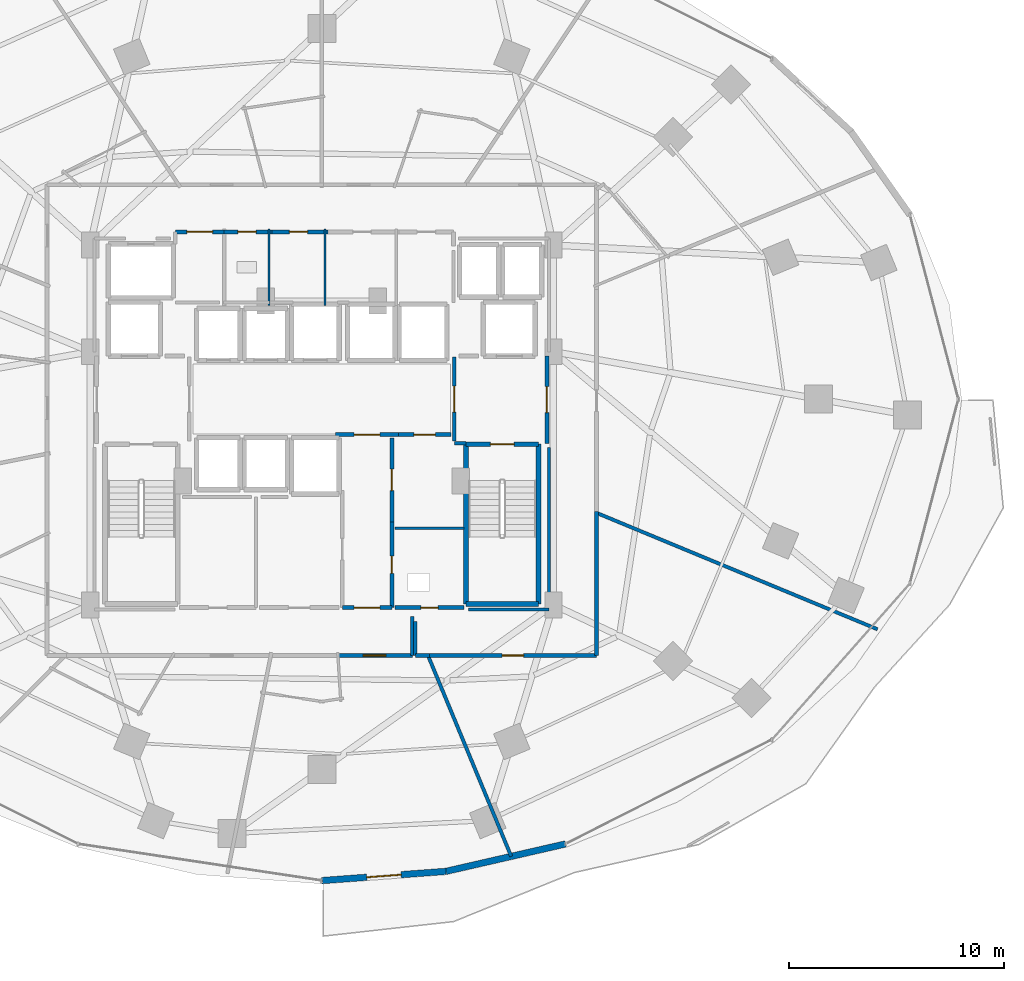
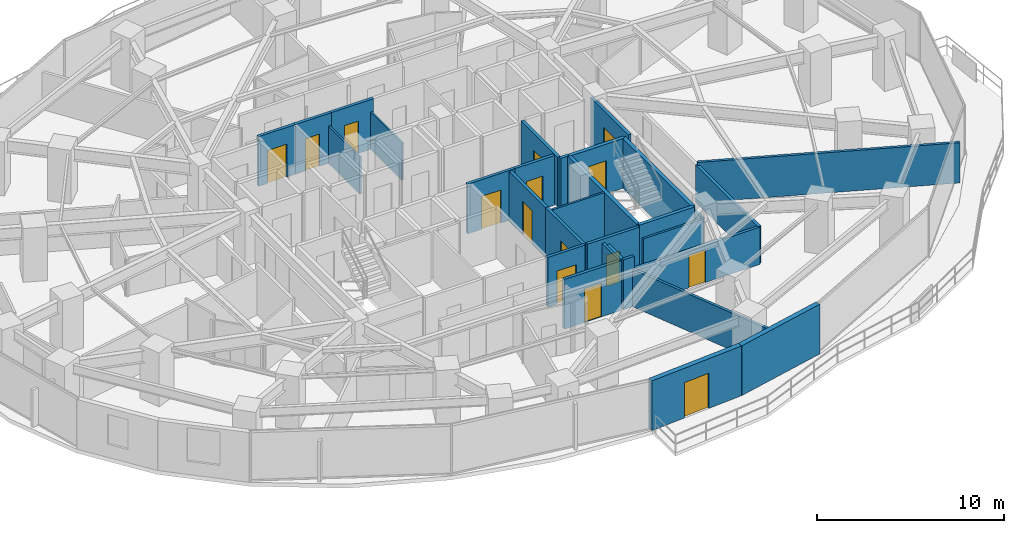
# One storey, part 29 of 35: 31 walls, 15 doors, 15 openings.
"""IFC4 building model written with IfcOpenShell, lengths in metres."""

from ifc_helpers import new_model, si_unit, direction, frame, frame_2d, origin, place, context, subcontext, project, spatial, rectangle, extrude, material, layer, layer_set, type_object, element, fill, save


model = new_model("IFC4")

# Units and contexts
model_context = context("Model", 3, precision=1e-05, world=origin(), true_north=direction((0.0, 1.0)))
body_context = subcontext(model_context, "Body", "Model", "MODEL_VIEW")
ifc_project = project(units=[si_unit("LENGTHUNIT", "METRE"), si_unit("AREAUNIT", "SQUARE_METRE"), si_unit("VOLUMEUNIT", "CUBIC_METRE"), si_unit("PLANEANGLEUNIT", "RADIAN"), si_unit("MASSUNIT", "GRAM", prefix="KILO")], contexts=[model_context])

# Site, building, storey
site_placement = place(None, origin())
site = spatial("IfcSite", under=ifc_project, at=site_placement, CompositionType="ELEMENT")
building_placement = place(site_placement, origin())
building = spatial("IfcBuilding", under=site, at=building_placement, Name="Vorneva Point Tower", CompositionType="ELEMENT")
storey_placement = place(building_placement, frame((0.0, 0.0, 45.0)))
storey = spatial("IfcBuildingStorey", under=building, at=storey_placement, Name="L11", CompositionType="ELEMENT", Elevation=45.0)

# Wall, opening, door
ifc_material_1 = material(Name="Precast concrete B50 (C40/50)", Category="concrete")
ifc_layer_1 = layer(ifc_material_1, 0.300048828125)
ifc_layer_set_1 = layer_set([ifc_layer_1], Name="Precast concrete B50 (C40/50)")
wall_type_1 = type_object("IfcWallType", Name="WL-EXT-300", PredefinedType="STANDARD", material=ifc_layer_set_1)
wall_1_placement = place(storey_placement, frame((38.0, 3.64990234375, 0.0), z_axis=(0.0, 0.0, 1.0), x_axis=(0.99723690101, 0.074287032943, 0.0)))
wall_1 = element("IfcWall", 1, at=wall_1_placement, inside=storey, type_object=wall_type_1, Name="L11 Pale-Metal Facade Spandrel Wall 13.1", PredefinedType="STANDARD", context=body_context, shape_type="SweptSolid", body=[
    extrude(rectangle(XDim=5.78076171875, YDim=0.300048828125, at=frame_2d((2.890380859375, 0.0))), origin(), (0.0, 0.0, 1.0), 3.239990234375),
])
opening_1_placement = place(wall_1_placement, frame((2.09033203125, 0.0, 0.0)))
opening_1 = element("IfcOpeningElement", 2, at=opening_1_placement, cuts=wall_1, Name="Opening BD-01", PredefinedType="OPENING", context=body_context, shape_type="SweptSolid", body=[
    extrude(rectangle(XDim=1.60009765625, YDim=2.300048828125, at=frame_2d((0.800048828125, 1.14990234375))), frame((0.0, 0.1650390625, 0.0), z_axis=(0.0, -1.0, 0.0), x_axis=(1.0, 0.0, 0.0)), (0.0, 0.0, 1.0), 0.329833984375),
])
ifc_material_2 = material(Name="Pale anodised aluminium", Category="aluminium")
door_type_1 = type_object("IfcDoorType", Name="DR-BAL-1600", OperationType="SLIDING_TO_LEFT", PredefinedType="DOOR", material=ifc_material_2)
door_1_placement = place(opening_1_placement, origin())
door_1 = element("IfcDoor", 3, at=door_1_placement, inside=storey, type_object=door_type_1, Name="L11 Balcony Terrace Access Door 13", OperationType="SLIDING_TO_LEFT", OverallHeight=2.300048828125, OverallWidth=1.60009765625, PredefinedType="DOOR", context=body_context, shape_type="SweptSolid", body=[
    extrude(rectangle(XDim=1.60009765625, YDim=2.300048828125, at=frame_2d((0.800048828125, 1.14990234375))), frame((0.0, 0.02490234375, 0.0), z_axis=(0.0, -1.0, 0.0), x_axis=(1.0, 0.0, 0.0)), (0.0, 0.0, 1.0), 0.050048828125),
])
fill(opening_1, door_1)

# Walls
wall_2_placement = place(storey_placement, frame((43.764892578125, 4.079345703125, 0.0), z_axis=(0.0, 0.0, 1.0), x_axis=(0.974671141646, 0.223642942305, 0.0)))
element("IfcWall", 4, at=wall_2_placement, inside=storey, type_object=wall_type_1, Name="L11 Pale-Metal Facade Spandrel Wall 13.2", PredefinedType="STANDARD", context=body_context, shape_type="SweptSolid", body=[
    extrude(rectangle(XDim=5.6875, YDim=0.300048828125, at=frame_2d((2.84375, 0.0))), origin(), (0.0, 0.0, 1.0), 3.239990234375),
])
ifc_material_3 = material(Name="Fire-rated acoustic gypsum stud partition", Category="gypsum")
ifc_layer_2 = layer(ifc_material_3, 0.110107421875)
ifc_layer_set_2 = layer_set([ifc_layer_2], Name="Fire-rated acoustic gypsum stud partition")
wall_type_2 = type_object("IfcWallType", Name="WL-PART-110", PredefinedType="PARTITIONING", material=ifc_layer_set_2)
for number, where, z_axis, x_axis, name in (
    (5, (35.550048828125, 30.340087890625, 0.0), (0.0, 0.0, 1.0), (0.0, 1.0, 0.0), "L11 Interior Partition 017"),
    (6, (38.14990234375, 30.340087890625, 0.0), (0.0, 0.0, 1.0), (0.0, 1.0, 0.0), "L11 Interior Partition 019"),
):
    element("IfcWall", number, at=place(storey_placement, frame(where, z_axis=z_axis, x_axis=x_axis)), inside=storey, type_object=wall_type_2, Name=name, PredefinedType="PARTITIONING", context=body_context, shape_type="SweptSolid", body=[
        extrude(rectangle(XDim=3.559814453125, YDim=0.110107421875, at=frame_2d((1.77978515625, 0.0))), origin(), (0.0, 0.0, 1.0), 2.431884765625),
    ])
ifc_layer_3 = layer(ifc_material_3, 0.125)
ifc_layer_set_3 = layer_set([ifc_layer_3], Name="Fire-rated acoustic gypsum stud partition")
wall_type_3 = type_object("IfcWallType", Name="WL-PART-125", PredefinedType="PARTITIONING", material=ifc_layer_set_3)
wall_3_placement = place(storey_placement, frame((44.60009765625, 20.0, 0.0), z_axis=(0.0, 0.0, 1.0), x_axis=(-1.0, 0.0, 0.0)))
element("IfcWall", 7, at=wall_3_placement, inside=storey, type_object=wall_type_3, Name="L11 Interior Partition 015", PredefinedType="PARTITIONING", context=body_context, shape_type="SweptSolid", body=[
    extrude(rectangle(XDim=3.2001953125, YDim=0.125, at=frame_2d((1.60009765625, 0.0))), origin(), (0.0, 0.0, 1.0), 3.239990234375),
])
ifc_layer_4 = layer(ifc_material_3, 0.139892578125)
ifc_layer_set_4 = layer_set([ifc_layer_4], Name="Fire-rated acoustic gypsum stud partition")
wall_type_4 = type_object("IfcWallType", Name="WL-PART-140", PredefinedType="PARTITIONING", material=ifc_layer_set_4)
wall_4_placement = place(storey_placement, frame((48.550048828125, 23.75390625, 0.0), z_axis=(0.0, 0.0, 1.0), x_axis=(0.0, -1.0, 0.0)))
element("IfcWall", 8, at=wall_4_placement, inside=storey, type_object=wall_type_4, Name="L11 Interior Closure Partition 102", PredefinedType="PARTITIONING", context=body_context, shape_type="SweptSolid", body=[
    extrude(rectangle(XDim=7.513916015625, YDim=0.139892578125, at=frame_2d((3.7568359375, 0.0))), origin(), (0.0, 0.0, 1.0), 2.431884765625),
])
wall_5_placement = place(storey_placement, frame((48.550048828125, 16.239990234375, 0.0), z_axis=(0.0, 0.0, 1.0), x_axis=(-1.0, 0.0, 0.0)))
element("IfcWall", 9, at=wall_5_placement, inside=storey, type_object=wall_type_4, Name="L11 Interior Closure Partition 103", PredefinedType="PARTITIONING", context=body_context, shape_type="SweptSolid", body=[
    extrude(rectangle(XDim=3.7451171875, YDim=0.139892578125, at=frame_2d((1.87255859375, 0.0))), origin(), (0.0, 0.0, 1.0), 2.431884765625),
])
ifc_layer_5 = layer(ifc_material_3, 0.159912109375)
ifc_layer_set_5 = layer_set([ifc_layer_5], Name="Fire-rated acoustic gypsum stud partition")
wall_type_5 = type_object("IfcWallType", Name="WL-PART-160", PredefinedType="PARTITIONING", material=ifc_layer_set_5)
wall_6_placement = place(storey_placement, frame((46.7919921875, 4.77490234375, 0.0), z_axis=(0.0, 0.0, 1.0), x_axis=(-0.382718503749, 0.923865004689, 0.0)))
element("IfcWall", 10, at=wall_6_placement, inside=storey, type_object=wall_type_5, Name="L11 Interior Partition 089", PredefinedType="PARTITIONING", context=body_context, shape_type="SweptSolid", body=[
    extrude(rectangle(XDim=10.09375, YDim=0.159912109375, at=frame_2d((5.046875, 0.0))), origin(), (0.0, 0.0, 1.0), 2.431884765625),
])
wall_7_placement = place(storey_placement, frame((63.79296875, 15.31591796875, 0.0), z_axis=(0.0, 0.0, 1.0), x_axis=(-0.923866969846, 0.382713759914, 0.0)))
element("IfcWall", 11, at=wall_7_placement, inside=storey, type_object=wall_type_5, Name="L11 Interior Partition 090", PredefinedType="PARTITIONING", context=body_context, shape_type="SweptSolid", body=[
    extrude(rectangle(XDim=14.117919921875, YDim=0.159912109375, at=frame_2d((7.05908203125, 0.0))), origin(), (0.0, 0.0, 1.0), 2.6240234375),
])

# Wall, opening, door
ifc_material_4 = material(Name="Autoclaved aerated concrete blockwork", Category="masonry")
ifc_layer_6 = layer(ifc_material_4, 0.179931640625)
ifc_layer_set_6 = layer_set([ifc_layer_6], Name="Autoclaved aerated concrete blockwork")
wall_type_6 = type_object("IfcWallType", Name="WL-PART-180", PredefinedType="PARTITIONING", material=ifc_layer_set_6)
wall_8_placement = place(storey_placement, frame((44.14990234375, 27.955078125, 0.0), z_axis=(0.0, 0.0, 1.0), x_axis=(0.0, -1.0, 0.0)))
wall_8 = element("IfcWall", 12, at=wall_8_placement, inside=storey, type_object=wall_type_6, Name="L11 Interior Partition 003", PredefinedType="PARTITIONING", context=body_context, shape_type="SweptSolid", body=[
    extrude(rectangle(XDim=3.91015625, YDim=0.179931640625, at=frame_2d((1.955078125, 0.0))), origin(), (0.0, 0.0, 1.0), 3.239990234375),
])
opening_2_placement = place(wall_8_placement, frame((1.35498046875, 0.0, 0.0)))
opening_2 = element("IfcOpeningElement", 13, at=opening_2_placement, cuts=wall_8, Name="Opening FD-02", PredefinedType="OPENING", context=body_context, shape_type="SweptSolid", body=[
    extrude(rectangle(XDim=1.199951171875, YDim=2.14990234375, at=frame_2d((0.60009765625, 1.074951171875))), frame((0.0, 0.10498046875, 0.0), z_axis=(0.0, -1.0, 0.0), x_axis=(1.0, 0.0, 0.0)), (0.0, 0.0, 1.0), 0.209716796875),
])
ifc_material_5 = material(Name="Fire-rated powder-coated steel", Category="steel")
door_type_2 = type_object("IfcDoorType", Name="DR-FFL-1200", OperationType="NOTDEFINED", PredefinedType="DOOR", material=ifc_material_5)
door_2_placement = place(opening_2_placement, origin())
door_2 = element("IfcDoor", 14, at=door_2_placement, inside=storey, type_object=door_type_2, Name="L11 Door East Firefighting Lobby / Central Lift Lobby", OperationType="SINGLE_SWING_LEFT", OverallHeight=2.14990234375, OverallWidth=1.199951171875, PredefinedType="DOOR", context=body_context, shape_type="SweptSolid", body=[
    extrude(rectangle(XDim=1.199951171875, YDim=2.14990234375, at=frame_2d((0.60009765625, 1.074951171875))), frame((0.0, 0.02490234375, 0.0), z_axis=(0.0, -1.0, 0.0), x_axis=(1.0, 0.0, 0.0)), (0.0, 0.0, 1.0), 0.050048828125),
])
fill(opening_2, door_2)

# Wall
wall_9_placement = place(storey_placement, frame((44.14990234375, 23.949951171875, 0.0), z_axis=(0.0, 0.0, 1.0), x_axis=(1.0, 0.0, 0.0)))
element("IfcWall", 15, at=wall_9_placement, inside=storey, type_object=wall_type_6, Name="L11 Interior Partition 004", PredefinedType="PARTITIONING", context=body_context, shape_type="SweptSolid", body=[
    extrude(rectangle(XDim=0.5400390625, YDim=0.179931640625, at=frame_2d((0.27001953125, 0.0))), origin(), (0.0, 0.0, 1.0), 3.239990234375),
])

# Wall, opening, door
wall_10_placement = place(storey_placement, frame((48.449951171875, 23.949951171875, 0.0), z_axis=(0.0, 0.0, 1.0), x_axis=(0.0, 1.0, 0.0)))
wall_10 = element("IfcWall", 16, at=wall_10_placement, inside=storey, type_object=wall_type_6, Name="L11 Interior Partition 005", PredefinedType="PARTITIONING", context=body_context, shape_type="SweptSolid", body=[
    extrude(rectangle(XDim=4.050048828125, YDim=0.179931640625, at=frame_2d((2.02490234375, 0.0))), origin(), (0.0, 0.0, 1.0), 3.239990234375),
])
opening_3_placement = place(wall_10_placement, frame((1.425048828125, 0.0, 0.0)))
opening_3 = element("IfcOpeningElement", 17, at=opening_3_placement, cuts=wall_10, Name="Opening FD-02", PredefinedType="OPENING", context=body_context, shape_type="SweptSolid", body=[
    extrude(rectangle(XDim=1.199951171875, YDim=2.14990234375, at=frame_2d((0.60009765625, 1.074951171875))), frame((0.0, 0.10498046875, 0.0), z_axis=(0.0, -1.0, 0.0), x_axis=(1.0, 0.0, 0.0)), (0.0, 0.0, 1.0), 0.209716796875),
])
door_3_placement = place(opening_3_placement, origin())
door_3 = element("IfcDoor", 18, at=door_3_placement, inside=storey, type_object=door_type_2, Name="L11 Door East Firefighting Lobby / L11 Circulation Corridor", OperationType="SINGLE_SWING_LEFT", OverallHeight=2.14990234375, OverallWidth=1.199951171875, PredefinedType="DOOR", context=body_context, shape_type="SweptSolid", body=[
    extrude(rectangle(XDim=1.199951171875, YDim=2.14990234375, at=frame_2d((0.60009765625, 1.074951171875))), frame((0.0, 0.02490234375, 0.0), z_axis=(0.0, -1.0, 0.0), x_axis=(1.0, 0.0, 0.0)), (0.0, 0.0, 1.0), 0.050048828125),
])
fill(opening_3, door_3)

wall_11_placement = place(storey_placement, frame((33.469970703125, 33.760009765625, 0.0), z_axis=(0.0, 0.0, 1.0), x_axis=(-1.0, 0.0, 0.0)))
wall_11 = element("IfcWall", 19, at=wall_11_placement, inside=storey, type_object=wall_type_6, Name="L11 Interior Partition 007", PredefinedType="PARTITIONING", context=body_context, shape_type="SweptSolid", body=[
    extrude(rectangle(XDim=2.27001953125, YDim=0.179931640625, at=frame_2d((1.135009765625, 0.0))), origin(), (0.0, 0.0, 1.0), 3.239990234375),
])
opening_4_placement = place(wall_11_placement, frame((0.534912109375, 0.0, 0.0)))
opening_4 = element("IfcOpeningElement", 20, at=opening_4_placement, cuts=wall_11, Name="Opening FD-02", PredefinedType="OPENING", context=body_context, shape_type="SweptSolid", body=[
    extrude(rectangle(XDim=1.199951171875, YDim=2.14990234375, at=frame_2d((0.60009765625, 1.074951171875))), frame((0.0, 0.10498046875, 0.0), z_axis=(0.0, -1.0, 0.0), x_axis=(1.0, 0.0, 0.0)), (0.0, 0.0, 1.0), 0.209716796875),
])
door_4_placement = place(opening_4_placement, origin())
door_4 = element("IfcDoor", 21, at=door_4_placement, inside=storey, type_object=door_type_2, Name="L11 Door Service Lift Lobby / L11 Circulation Corridor", OperationType="SINGLE_SWING_LEFT", OverallHeight=2.14990234375, OverallWidth=1.199951171875, PredefinedType="DOOR", context=body_context, shape_type="SweptSolid", body=[
    extrude(rectangle(XDim=1.199951171875, YDim=2.14990234375, at=frame_2d((0.60009765625, 1.074951171875))), frame((0.0, 0.02490234375, 0.0), z_axis=(0.0, -1.0, 0.0), x_axis=(1.0, 0.0, 0.0)), (0.0, 0.0, 1.0), 0.050048828125),
])
fill(opening_4, door_4)

wall_12_placement = place(storey_placement, frame((38.64501953125, 24.35009765625, 0.0), z_axis=(0.0, 0.0, 1.0), x_axis=(1.0, 0.0, 0.0)))
wall_12 = element("IfcWall", 22, at=wall_12_placement, inside=storey, type_object=wall_type_6, Name="L11 Interior Partition 009", PredefinedType="PARTITIONING", context=body_context, shape_type="SweptSolid", body=[
    extrude(rectangle(XDim=2.909912109375, YDim=0.179931640625, at=frame_2d((1.455078125, 0.0))), origin(), (0.0, 0.0, 1.0), 3.239990234375),
])
opening_5_placement = place(wall_12_placement, frame((0.85498046875, 0.0, 0.0)))
opening_5 = element("IfcOpeningElement", 23, at=opening_5_placement, cuts=wall_12, Name="Opening FD-02", PredefinedType="OPENING", context=body_context, shape_type="SweptSolid", body=[
    extrude(rectangle(XDim=1.199951171875, YDim=2.14990234375, at=frame_2d((0.60009765625, 1.074951171875))), frame((0.0, 0.10498046875, 0.0), z_axis=(0.0, -1.0, 0.0), x_axis=(1.0, 0.0, 0.0)), (0.0, 0.0, 1.0), 0.209716796875),
])
door_5_placement = place(opening_5_placement, origin())
door_5 = element("IfcDoor", 24, at=door_5_placement, inside=storey, type_object=door_type_2, Name="L11 Door Central Lift Lobby / Core Service Lobby", OperationType="SINGLE_SWING_RIGHT", OverallHeight=2.14990234375, OverallWidth=1.199951171875, PredefinedType="DOOR", context=body_context, shape_type="SweptSolid", body=[
    extrude(rectangle(XDim=1.199951171875, YDim=2.14990234375, at=frame_2d((0.60009765625, 1.074951171875))), frame((0.0, 0.02490234375, 0.0), z_axis=(0.0, -1.0, 0.0), x_axis=(1.0, 0.0, 0.0)), (0.0, 0.0, 1.0), 0.050048828125),
])
fill(opening_5, door_5)

wall_13_placement = place(storey_placement, frame((41.554931640625, 24.35009765625, 0.0), z_axis=(0.0, 0.0, 1.0), x_axis=(1.0, 0.0, 0.0)))
wall_13 = element("IfcWall", 25, at=wall_13_placement, inside=storey, type_object=wall_type_6, Name="L11 Interior Partition 010", PredefinedType="PARTITIONING", context=body_context, shape_type="SweptSolid", body=[
    extrude(rectangle(XDim=2.445068359375, YDim=0.179931640625, at=frame_2d((1.22265625, 0.0))), origin(), (0.0, 0.0, 1.0), 3.239990234375),
])
opening_6_placement = place(wall_13_placement, frame((0.722412109375, 0.0, 0.0)))
opening_6 = element("IfcOpeningElement", 26, at=opening_6_placement, cuts=wall_13, Name="Opening UD-01", PredefinedType="OPENING", context=body_context, shape_type="SweptSolid", body=[
    extrude(rectangle(XDim=1.0, YDim=2.14990234375, at=frame_2d((0.5, 1.074951171875))), frame((0.0, 0.10498046875, 0.0), z_axis=(0.0, -1.0, 0.0), x_axis=(1.0, 0.0, 0.0)), (0.0, 0.0, 1.0), 0.209716796875),
])
ifc_material_6 = material(Name="Engineered oak fire-rated door leaf", Category="wood")
door_type_3 = type_object("IfcDoorType", Name="DR-UNIT-1000", OperationType="NOTDEFINED", PredefinedType="DOOR", material=ifc_material_6)
door_6_placement = place(opening_6_placement, origin())
door_6 = element("IfcDoor", 27, at=door_6_placement, inside=storey, type_object=door_type_3, Name="L11 Door Central Lift Lobby / Floor Management Office", OperationType="SINGLE_SWING_LEFT", OverallHeight=2.14990234375, OverallWidth=1.0, PredefinedType="DOOR", context=body_context, shape_type="SweptSolid", body=[
    extrude(rectangle(XDim=1.0, YDim=2.14990234375, at=frame_2d((0.5, 1.074951171875))), frame((0.0, 0.02490234375, 0.0), z_axis=(0.0, -1.0, 0.0), x_axis=(1.0, 0.0, 0.0)), (0.0, 0.0, 1.0), 0.050048828125),
])
fill(opening_6, door_6)

wall_14_placement = place(storey_placement, frame((41.25, 16.320068359375, 0.0), z_axis=(0.0, 0.0, 1.0), x_axis=(0.0, 1.0, 0.0)))
wall_14 = element("IfcWall", 28, at=wall_14_placement, inside=storey, type_object=wall_type_6, Name="L11 Interior Partition 011", PredefinedType="PARTITIONING", context=body_context, shape_type="SweptSolid", body=[
    extrude(rectangle(XDim=3.98486328125, YDim=0.179931640625, at=frame_2d((1.992431640625, 0.0))), origin(), (0.0, 0.0, 1.0), 3.239990234375),
])
opening_7_placement = place(wall_14_placement, frame((1.592529296875, 0.0, 0.0)))
opening_7 = element("IfcOpeningElement", 29, at=opening_7_placement, cuts=wall_14, Name="Opening RD-01", PredefinedType="OPENING", context=body_context, shape_type="SweptSolid", body=[
    extrude(rectangle(XDim=0.800048828125, YDim=2.050048828125, at=frame_2d((0.39990234375, 1.02490234375))), frame((0.0, 0.10498046875, 0.0), z_axis=(0.0, -1.0, 0.0), x_axis=(1.0, 0.0, 0.0)), (0.0, 0.0, 1.0), 0.209716796875),
])
door_type_4 = type_object("IfcDoorType", Name="DR-RSR-800", OperationType="SINGLE_SWING_LEFT", PredefinedType="DOOR", material=ifc_material_5)
door_7_placement = place(opening_7_placement, origin())
door_7 = element("IfcDoor", 30, at=door_7_placement, inside=storey, type_object=door_type_4, Name="L11 Door Core Service Lobby / Electrical Riser", OperationType="SINGLE_SWING_RIGHT", OverallHeight=2.050048828125, OverallWidth=0.800048828125, PredefinedType="DOOR", context=body_context, shape_type="SweptSolid", body=[
    extrude(rectangle(XDim=0.800048828125, YDim=2.050048828125, at=frame_2d((0.39990234375, 1.02490234375))), frame((0.0, 0.02490234375, 0.0), z_axis=(0.0, -1.0, 0.0), x_axis=(1.0, 0.0, 0.0)), (0.0, 0.0, 1.0), 0.050048828125),
])
fill(opening_7, door_7)

wall_15_placement = place(storey_placement, frame((41.25, 20.304931640625, 0.0), z_axis=(0.0, 0.0, 1.0), x_axis=(0.0, 1.0, 0.0)))
wall_15 = element("IfcWall", 31, at=wall_15_placement, inside=storey, type_object=wall_type_6, Name="L11 Interior Partition 012", PredefinedType="PARTITIONING", context=body_context, shape_type="SweptSolid", body=[
    extrude(rectangle(XDim=3.89501953125, YDim=0.179931640625, at=frame_2d((1.947509765625, 0.0))), origin(), (0.0, 0.0, 1.0), 3.239990234375),
])
opening_8_placement = place(wall_15_placement, frame((1.447509765625, 0.0, 0.0)))
opening_8 = element("IfcOpeningElement", 32, at=opening_8_placement, cuts=wall_15, Name="Opening UD-01", PredefinedType="OPENING", context=body_context, shape_type="SweptSolid", body=[
    extrude(rectangle(XDim=1.0, YDim=2.14990234375, at=frame_2d((0.5, 1.074951171875))), frame((0.0, 0.10498046875, 0.0), z_axis=(0.0, -1.0, 0.0), x_axis=(1.0, 0.0, 0.0)), (0.0, 0.0, 1.0), 0.209716796875),
])
door_8_placement = place(opening_8_placement, origin())
door_8 = element("IfcDoor", 33, at=door_8_placement, inside=storey, type_object=door_type_3, Name="L11 Door Core Service Lobby / Floor Management Office", OperationType="SINGLE_SWING_LEFT", OverallHeight=2.14990234375, OverallWidth=1.0, PredefinedType="DOOR", context=body_context, shape_type="SweptSolid", body=[
    extrude(rectangle(XDim=1.0, YDim=2.14990234375, at=frame_2d((0.5, 1.074951171875))), frame((0.0, 0.02490234375, 0.0), z_axis=(0.0, -1.0, 0.0), x_axis=(1.0, 0.0, 0.0)), (0.0, 0.0, 1.0), 0.050048828125),
])
fill(opening_8, door_8)

wall_16_placement = place(storey_placement, frame((38.949951171875, 16.320068359375, 0.0), z_axis=(0.0, 0.0, 1.0), x_axis=(1.0, 0.0, 0.0)))
wall_16 = element("IfcWall", 34, at=wall_16_placement, inside=storey, type_object=wall_type_6, Name="L11 Interior Partition 014", PredefinedType="PARTITIONING", context=body_context, shape_type="SweptSolid", body=[
    extrude(rectangle(XDim=2.300048828125, YDim=0.179931640625, at=frame_2d((1.14990234375, 0.0))), origin(), (0.0, 0.0, 1.0), 3.239990234375),
])
opening_9_placement = place(wall_16_placement, frame((0.550048828125, 0.0, 0.0)))
opening_9 = element("IfcOpeningElement", 35, at=opening_9_placement, cuts=wall_16, Name="Opening FD-02", PredefinedType="OPENING", context=body_context, shape_type="SweptSolid", body=[
    extrude(rectangle(XDim=1.199951171875, YDim=2.14990234375, at=frame_2d((0.60009765625, 1.074951171875))), frame((0.0, 0.10498046875, 0.0), z_axis=(0.0, -1.0, 0.0), x_axis=(1.0, 0.0, 0.0)), (0.0, 0.0, 1.0), 0.209716796875),
])
door_9_placement = place(opening_9_placement, origin())
door_9 = element("IfcDoor", 36, at=door_9_placement, inside=storey, type_object=door_type_2, Name="L11 Door Core Service Lobby / L11 Circulation Corridor", OperationType="SINGLE_SWING_LEFT", OverallHeight=2.14990234375, OverallWidth=1.199951171875, PredefinedType="DOOR", context=body_context, shape_type="SweptSolid", body=[
    extrude(rectangle(XDim=1.199951171875, YDim=2.14990234375, at=frame_2d((0.60009765625, 1.074951171875))), frame((0.0, 0.02490234375, 0.0), z_axis=(0.0, -1.0, 0.0), x_axis=(1.0, 0.0, 0.0)), (0.0, 0.0, 1.0), 0.050048828125),
])
fill(opening_9, door_9)

wall_17_placement = place(storey_placement, frame((41.39990234375, 16.320068359375, 0.0), z_axis=(0.0, 0.0, 1.0), x_axis=(1.0, 0.0, 0.0)))
wall_17 = element("IfcWall", 37, at=wall_17_placement, inside=storey, type_object=wall_type_6, Name="L11 Interior Partition 016", PredefinedType="PARTITIONING", context=body_context, shape_type="SweptSolid", body=[
    extrude(rectangle(XDim=3.2001953125, YDim=0.179931640625, at=frame_2d((1.60009765625, 0.0))), origin(), (0.0, 0.0, 1.0), 3.239990234375),
])
opening_10_placement = place(wall_17_placement, frame((1.199951171875, 0.0, 0.0)))
opening_10 = element("IfcOpeningElement", 38, at=opening_10_placement, cuts=wall_17, Name="Opening RD-01", PredefinedType="OPENING", context=body_context, shape_type="SweptSolid", body=[
    extrude(rectangle(XDim=0.800048828125, YDim=2.050048828125, at=frame_2d((0.39990234375, 1.02490234375))), frame((0.0, 0.10498046875, 0.0), z_axis=(0.0, -1.0, 0.0), x_axis=(1.0, 0.0, 0.0)), (0.0, 0.0, 1.0), 0.209716796875),
])
door_10_placement = place(opening_10_placement, origin())
door_10 = element("IfcDoor", 39, at=door_10_placement, inside=storey, type_object=door_type_4, Name="L11 Door Electrical Riser / L11 Circulation Corridor", OperationType="SINGLE_SWING_RIGHT", OverallHeight=2.050048828125, OverallWidth=0.800048828125, PredefinedType="DOOR", context=body_context, shape_type="SweptSolid", body=[
    extrude(rectangle(XDim=0.800048828125, YDim=2.050048828125, at=frame_2d((0.39990234375, 1.02490234375))), frame((0.0, 0.02490234375, 0.0), z_axis=(0.0, -1.0, 0.0), x_axis=(1.0, 0.0, 0.0)), (0.0, 0.0, 1.0), 0.050048828125),
])
fill(opening_10, door_10)

wall_18_placement = place(storey_placement, frame((35.68994140625, 33.760009765625, 0.0), z_axis=(0.0, 0.0, 1.0), x_axis=(-1.0, 0.0, 0.0)))
wall_18 = element("IfcWall", 40, at=wall_18_placement, inside=storey, type_object=wall_type_6, Name="L11 Interior Partition 018", PredefinedType="PARTITIONING", context=body_context, shape_type="SweptSolid", body=[
    extrude(rectangle(XDim=2.329833984375, YDim=0.179931640625, at=frame_2d((1.1650390625, 0.0))), origin(), (0.0, 0.0, 1.0), 3.239990234375),
])
opening_11_placement = place(wall_18_placement, frame((0.739990234375, 0.0, 0.0)))
opening_11 = element("IfcOpeningElement", 41, at=opening_11_placement, cuts=wall_18, Name="Opening ID-02", PredefinedType="OPENING", context=body_context, shape_type="SweptSolid", body=[
    extrude(rectangle(XDim=0.85009765625, YDim=2.10009765625, at=frame_2d((0.425048828125, 1.050048828125))), frame((0.0, 0.10498046875, 0.0), z_axis=(0.0, -1.0, 0.0), x_axis=(1.0, 0.0, 0.0)), (0.0, 0.0, 1.0), 0.209716796875),
])
door_type_5 = type_object("IfcDoorType", Name="DR-BATH-850", OperationType="NOTDEFINED", PredefinedType="DOOR", material=ifc_material_6)
door_11_placement = place(opening_11_placement, origin())
door_11 = element("IfcDoor", 42, at=door_11_placement, inside=storey, type_object=door_type_5, Name="L11 Door Accessible WC / L11 Circulation Corridor", OperationType="SINGLE_SWING_LEFT", OverallHeight=2.10009765625, OverallWidth=0.85009765625, PredefinedType="DOOR", context=body_context, shape_type="SweptSolid", body=[
    extrude(rectangle(XDim=0.85009765625, YDim=2.10009765625, at=frame_2d((0.425048828125, 1.050048828125))), frame((0.0, 0.02490234375, 0.0), z_axis=(0.0, -1.0, 0.0), x_axis=(1.0, 0.0, 0.0)), (0.0, 0.0, 1.0), 0.050048828125),
])
fill(opening_11, door_11)

wall_19_placement = place(storey_placement, frame((38.2900390625, 33.760009765625, 0.0), z_axis=(0.0, 0.0, 1.0), x_axis=(-1.0, 0.0, 0.0)))
wall_19 = element("IfcWall", 43, at=wall_19_placement, inside=storey, type_object=wall_type_6, Name="L11 Interior Partition 020", PredefinedType="PARTITIONING", context=body_context, shape_type="SweptSolid", body=[
    extrude(rectangle(XDim=2.739990234375, YDim=0.179931640625, at=frame_2d((1.3701171875, 0.0))), origin(), (0.0, 0.0, 1.0), 3.239990234375),
])
opening_12_placement = place(wall_19_placement, frame((0.945068359375, 0.0, 0.0)))
opening_12 = element("IfcOpeningElement", 44, at=opening_12_placement, cuts=wall_19, Name="Opening ID-02", PredefinedType="OPENING", context=body_context, shape_type="SweptSolid", body=[
    extrude(rectangle(XDim=0.85009765625, YDim=2.10009765625, at=frame_2d((0.425048828125, 1.050048828125))), frame((0.0, 0.10498046875, 0.0), z_axis=(0.0, -1.0, 0.0), x_axis=(1.0, 0.0, 0.0)), (0.0, 0.0, 1.0), 0.209716796875),
])
door_12_placement = place(opening_12_placement, origin())
door_12 = element("IfcDoor", 45, at=door_12_placement, inside=storey, type_object=door_type_5, Name="L11 Door Public Male WC / L11 Circulation Corridor", OperationType="SINGLE_SWING_RIGHT", OverallHeight=2.10009765625, OverallWidth=0.85009765625, PredefinedType="DOOR", context=body_context, shape_type="SweptSolid", body=[
    extrude(rectangle(XDim=0.85009765625, YDim=2.10009765625, at=frame_2d((0.425048828125, 1.050048828125))), frame((0.0, 0.02490234375, 0.0), z_axis=(0.0, -1.0, 0.0), x_axis=(1.0, 0.0, 0.0)), (0.0, 0.0, 1.0), 0.050048828125),
])
fill(opening_12, door_12)

# Walls
wall_20_placement = place(storey_placement, frame((42.340087890625, 15.678955078125, 0.0), z_axis=(0.0, 0.0, 1.0), x_axis=(0.0, -1.0, 0.0)))
element("IfcWall", 46, at=wall_20_placement, inside=storey, type_object=wall_type_6, Name="L11 Interior Partition 044", PredefinedType="PARTITIONING", context=body_context, shape_type="SweptSolid", body=[
    extrude(rectangle(XDim=1.578857421875, YDim=0.179931640625, at=frame_2d((0.78955078125, 0.0))), origin(), (0.0, 0.0, 1.0), 3.239990234375),
])
wall_21_placement = place(storey_placement, frame((42.340087890625, 14.10009765625, 0.0), z_axis=(0.0, 0.0, 1.0), x_axis=(1.0, 0.0, 0.0)))
element("IfcWall", 47, at=wall_21_placement, inside=storey, type_object=wall_type_6, Name="L11 Interior Partition 045", PredefinedType="PARTITIONING", context=body_context, shape_type="SweptSolid", body=[
    extrude(rectangle(XDim=0.65380859375, YDim=0.179931640625, at=frame_2d((0.326904296875, 0.0))), origin(), (0.0, 0.0, 1.0), 3.239990234375),
])

# Wall, opening, door
wall_22_placement = place(storey_placement, frame((38.68896484375, 14.10009765625, 0.0), z_axis=(0.0, 0.0, 1.0), x_axis=(1.0, 0.0, 0.0)))
wall_22 = element("IfcWall", 48, at=wall_22_placement, inside=storey, type_object=wall_type_6, Name="L11 Interior Partition 046", PredefinedType="PARTITIONING", context=body_context, shape_type="SweptSolid", body=[
    extrude(rectangle(XDim=3.510986328125, YDim=0.179931640625, at=frame_2d((1.75537109375, 0.0))), origin(), (0.0, 0.0, 1.0), 3.239990234375),
])
opening_13_placement = place(wall_22_placement, frame((1.23046875, 0.0, 0.0)))
opening_13 = element("IfcOpeningElement", 49, at=opening_13_placement, cuts=wall_22, Name="Opening UD-02", PredefinedType="OPENING", context=body_context, shape_type="SweptSolid", body=[
    extrude(rectangle(XDim=1.050048828125, YDim=2.199951171875, at=frame_2d((0.52490234375, 1.10009765625))), frame((0.0, 0.10498046875, 0.0), z_axis=(0.0, -1.0, 0.0), x_axis=(1.0, 0.0, 0.0)), (0.0, 0.0, 1.0), 0.209716796875),
])
door_type_6 = type_object("IfcDoorType", Name="DR-SUITE-1050", OperationType="NOTDEFINED", PredefinedType="DOOR", material=ifc_material_6)
door_13_placement = place(opening_13_placement, origin())
door_13 = element("IfcDoor", 50, at=door_13_placement, inside=storey, type_object=door_type_6, Name="L11 Door L11 Circulation Corridor / Junior Suite L11-08", OperationType="SINGLE_SWING_RIGHT", OverallHeight=2.199951171875, OverallWidth=1.050048828125, PredefinedType="DOOR", context=body_context, shape_type="SweptSolid", body=[
    extrude(rectangle(XDim=1.050048828125, YDim=2.199951171875, at=frame_2d((0.52490234375, 1.10009765625))), frame((0.0, 0.02490234375, 0.0), z_axis=(0.0, -1.0, 0.0), x_axis=(1.0, 0.0, 0.0)), (0.0, 0.0, 1.0), 0.050048828125),
])
fill(opening_13, door_13)

# Wall
wall_23_placement = place(storey_placement, frame((42.199951171875, 14.10009765625, 0.0), z_axis=(0.0, 0.0, 1.0), x_axis=(0.0, 1.0, 0.0)))
element("IfcWall", 51, at=wall_23_placement, inside=storey, type_object=wall_type_6, Name="L11 Interior Partition 047", PredefinedType="PARTITIONING", context=body_context, shape_type="SweptSolid", body=[
    extrude(rectangle(XDim=1.81982421875, YDim=0.179931640625, at=frame_2d((0.909912109375, 0.0))), origin(), (0.0, 0.0, 1.0), 3.239990234375),
])

# Wall, opening, door
wall_24_placement = place(storey_placement, frame((42.993896484375, 14.10009765625, 0.0), z_axis=(0.0, 0.0, 1.0), x_axis=(1.0, 0.0, 0.0)))
wall_24 = element("IfcWall", 52, at=wall_24_placement, inside=storey, type_object=wall_type_6, Name="L11 Interior Partition 049", PredefinedType="PARTITIONING", context=body_context, shape_type="SweptSolid", body=[
    extrude(rectangle(XDim=7.756103515625, YDim=0.179931640625, at=frame_2d((3.8779296875, 0.0))), origin(), (0.0, 0.0, 1.0), 2.431884765625),
])
opening_14_placement = place(wall_24_placement, frame((3.3779296875, 0.0, 0.0)))
opening_14 = element("IfcOpeningElement", 53, at=opening_14_placement, cuts=wall_24, Name="Opening UD-01", PredefinedType="OPENING", context=body_context, shape_type="SweptSolid", body=[
    extrude(rectangle(XDim=1.0, YDim=2.14990234375, at=frame_2d((0.5, 1.074951171875))), frame((0.0, 0.10498046875, 0.0), z_axis=(0.0, -1.0, 0.0), x_axis=(1.0, 0.0, 0.0)), (0.0, 0.0, 1.0), 0.209716796875),
])
door_14_placement = place(opening_14_placement, origin())
door_14 = element("IfcDoor", 54, at=door_14_placement, inside=storey, type_object=door_type_3, Name="L11 Door L11 Circulation Corridor / Hotel Club Lounge L11-09", OperationType="SINGLE_SWING_LEFT", OverallHeight=2.14990234375, OverallWidth=1.0, PredefinedType="DOOR", context=body_context, shape_type="SweptSolid", body=[
    extrude(rectangle(XDim=1.0, YDim=2.14990234375, at=frame_2d((0.5, 1.074951171875))), frame((0.0, 0.02490234375, 0.0), z_axis=(0.0, -1.0, 0.0), x_axis=(1.0, 0.0, 0.0)), (0.0, 0.0, 1.0), 0.050048828125),
])
fill(opening_14, door_14)

# Wall
wall_25_placement = place(storey_placement, frame((50.75, 14.10009765625, 0.0), z_axis=(0.0, 0.0, 1.0), x_axis=(0.0, 1.0, 0.0)))
element("IfcWall", 55, at=wall_25_placement, inside=storey, type_object=wall_type_6, Name="L11 Interior Partition 050", PredefinedType="PARTITIONING", context=body_context, shape_type="SweptSolid", body=[
    extrude(rectangle(XDim=6.678955078125, YDim=0.179931640625, at=frame_2d((3.33935546875, 0.0))), origin(), (0.0, 0.0, 1.0), 2.431884765625),
])

# Wall, opening, door
ifc_material_7 = material(Name="Concrete B50 (C40/50)", Category="concrete")
ifc_layer_7 = layer(ifc_material_7, 0.219970703125)
ifc_layer_set_7 = layer_set([ifc_layer_7], Name="Concrete B50 (C40/50)")
wall_type_7 = type_object("IfcWallType", Name="WL-SHFT-220", PredefinedType="SOLIDWALL", material=ifc_layer_set_7)
wall_26_placement = place(storey_placement, frame((44.68994140625, 23.909912109375, 0.0), z_axis=(0.0, 0.0, 1.0), x_axis=(1.0, 0.0, 0.0)))
wall_26 = element("IfcWall", 56, at=wall_26_placement, inside=storey, type_object=wall_type_7, Name="L11 Exit Stair ST2 Shaft Wall near", PredefinedType="SOLIDWALL", context=body_context, shape_type="SweptSolid", body=[
    extrude(rectangle(XDim=3.3701171875, YDim=0.219970703125, at=frame_2d((1.68505859375, 0.0))), origin(), (0.0, 0.0, 1.0), 3.239990234375),
])
opening_15_placement = place(wall_26_placement, frame((1.135009765625, 0.0, 0.0)))
opening_15 = element("IfcOpeningElement", 57, at=opening_15_placement, cuts=wall_26, Name="Opening FD-01", PredefinedType="OPENING", context=body_context, shape_type="SweptSolid", body=[
    extrude(rectangle(XDim=1.10009765625, YDim=2.14990234375, at=frame_2d((0.550048828125, 1.074951171875))), frame((0.0, 0.125, 0.0), z_axis=(0.0, -1.0, 0.0), x_axis=(1.0, 0.0, 0.0)), (0.0, 0.0, 1.0), 0.249755859375),
])
door_type_7 = type_object("IfcDoorType", Name="DR-STAIR-1100", OperationType="NOTDEFINED", PredefinedType="DOOR", material=ifc_material_5)
door_15_placement = place(opening_15_placement, origin())
door_15 = element("IfcDoor", 58, at=door_15_placement, inside=storey, type_object=door_type_7, Name="L11 Exit Stair ST2 Fire Door", OperationType="SINGLE_SWING_RIGHT", OverallHeight=2.14990234375, OverallWidth=1.10009765625, PredefinedType="DOOR", context=body_context, shape_type="SweptSolid", body=[
    extrude(rectangle(XDim=1.10009765625, YDim=2.14990234375, at=frame_2d((0.550048828125, 1.074951171875))), frame((0.0, 0.02490234375, 0.0), z_axis=(0.0, -1.0, 0.0), x_axis=(1.0, 0.0, 0.0)), (0.0, 0.0, 1.0), 0.050048828125),
])
fill(opening_15, door_15)

# Walls
wall_27_placement = place(storey_placement, frame((48.06005859375, 23.909912109375, 0.0), z_axis=(0.0, 0.0, 1.0), x_axis=(0.0, -1.0, 0.0)))
element("IfcWall", 59, at=wall_27_placement, inside=storey, type_object=wall_type_7, Name="L11 Exit Stair ST2 Shaft Wall right", PredefinedType="SOLIDWALL", context=body_context, shape_type="SweptSolid", body=[
    extrude(rectangle(XDim=7.419921875, YDim=0.219970703125, at=frame_2d((3.7099609375, 0.0))), origin(), (0.0, 0.0, 1.0), 3.239990234375),
])
wall_28_placement = place(storey_placement, frame((48.06005859375, 16.489990234375, 0.0), z_axis=(0.0, 0.0, 1.0), x_axis=(-1.0, 0.0, 0.0)))
element("IfcWall", 60, at=wall_28_placement, inside=storey, type_object=wall_type_7, Name="L11 Exit Stair ST2 Shaft Wall far", PredefinedType="SOLIDWALL", context=body_context, shape_type="SweptSolid", body=[
    extrude(rectangle(XDim=3.3701171875, YDim=0.219970703125, at=frame_2d((1.68505859375, 0.0))), origin(), (0.0, 0.0, 1.0), 3.239990234375),
])
wall_29_placement = place(storey_placement, frame((44.68994140625, 16.489990234375, 0.0), z_axis=(0.0, 0.0, 1.0), x_axis=(0.0, 1.0, 0.0)))
element("IfcWall", 61, at=wall_29_placement, inside=storey, type_object=wall_type_7, Name="L11 Exit Stair ST2 Shaft Wall left", PredefinedType="SOLIDWALL", context=body_context, shape_type="SweptSolid", body=[
    extrude(rectangle(XDim=7.419921875, YDim=0.219970703125, at=frame_2d((3.7099609375, 0.0))), origin(), (0.0, 0.0, 1.0), 3.239990234375),
])

save(model, "model.ifc")
